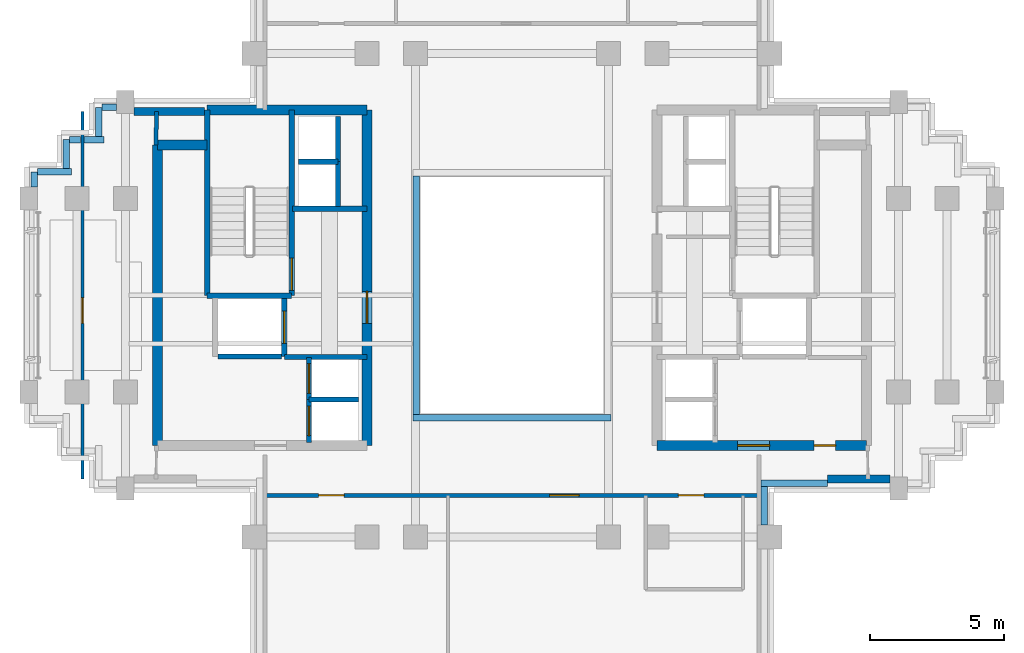
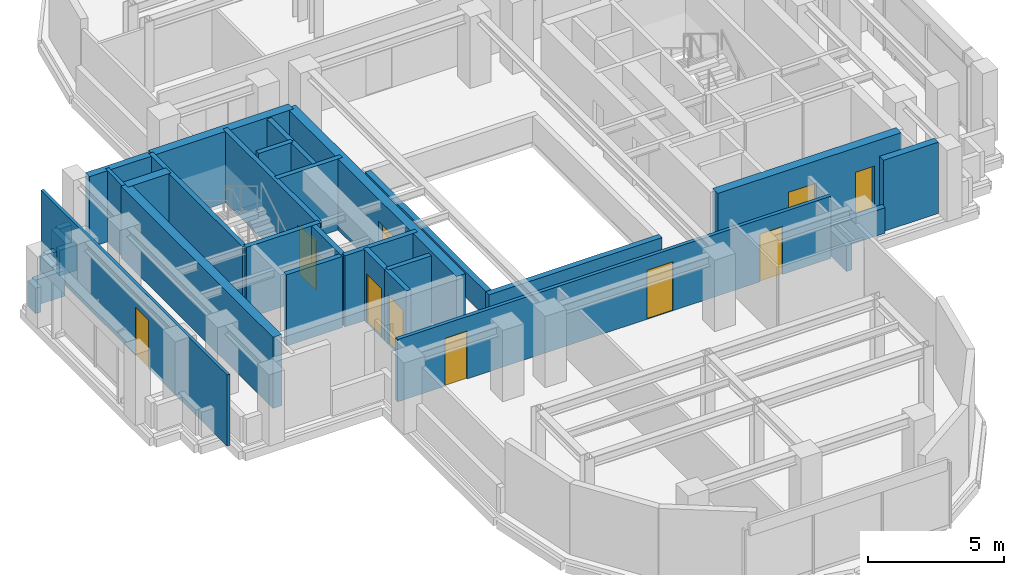
# One storey, part 6 of 11: 34 walls, 11 doors, 11 openings.
"""IFC4 building model written with IfcOpenShell, lengths in metres."""

from ifc_helpers import new_model, si_unit, direction, frame, frame_2d, origin, place, context, subcontext, project, spatial, rectangle, extrude, source, transform, mapped, material, layer, layer_set, type_object, element, fill, save


model = new_model("IFC4")

# Units and contexts
model_context = context("Model", 3, precision=1e-05, world=origin(), true_north=direction((0.0, 1.0)))
body_context = subcontext(model_context, "Body", "Model", "MODEL_VIEW")
ifc_project = project(units=[si_unit("LENGTHUNIT", "METRE"), si_unit("AREAUNIT", "SQUARE_METRE"), si_unit("VOLUMEUNIT", "CUBIC_METRE"), si_unit("PLANEANGLEUNIT", "RADIAN"), si_unit("MASSUNIT", "GRAM", prefix="KILO")], contexts=[model_context])

# Site, building, storey
site_placement = place(None, origin())
site = spatial("IfcSite", under=ifc_project, at=site_placement, CompositionType="ELEMENT")
building_placement = place(site_placement, origin())
building = spatial("IfcBuilding", under=site, at=building_placement, Name="Keilestroom Media Tower", CompositionType="ELEMENT")
storey_placement = place(building_placement, frame((0.0, 0.0, 170.60009765625)))
storey = spatial("IfcBuildingStorey", under=building, at=storey_placement, Name="L46", CompositionType="ELEMENT", Elevation=170.60009765625)

# Walls
ifc_material_1 = material(Name="Precast concrete C40/50", Category="concrete")
ifc_layer_1 = layer(ifc_material_1, 0.300048828125)
ifc_layer_set_1 = layer_set([ifc_layer_1], Name="Precast concrete C40/50")
wall_type_1 = type_object("IfcWallType", Name="Exterior-Masonry-Spandrel-Wall-300", PredefinedType="SOLIDWALL", material=ifc_layer_set_1)
wall_1_placement = place(storey_placement, frame((-14.0830078125, 6.85009765625, 0.0), z_axis=(0.0, 0.0, 1.0), x_axis=(1.0, 0.0, 0.0)))
element("IfcWall", 1, at=wall_1_placement, inside=storey, type_object=wall_type_1, Name="L46 Flank Masonry Wall EWL-L46-NW-1", PredefinedType="SOLIDWALL", context=body_context, shape_type="SweptSolid", body=[
    extrude(rectangle(XDim=2.635009765625, YDim=0.300048828125, at=frame_2d((1.3173828125, 0.0))), origin(), (0.0, 0.0, 1.0), 3.199951171875),
])
wall_2_placement = place(storey_placement, frame((11.75, -6.85009765625, 0.0), z_axis=(0.0, 0.0, 1.0), x_axis=(1.0, 0.0, 0.0)))
element("IfcWall", 2, at=wall_2_placement, inside=storey, type_object=wall_type_1, Name="L46 Flank Masonry Wall EWL-L46-SE-1", PredefinedType="SOLIDWALL", context=body_context, shape_type="SweptSolid", body=[
    extrude(rectangle(XDim=2.3330078125, YDim=0.300048828125, at=frame_2d((1.16650390625, 0.0))), origin(), (0.0, 0.0, 1.0), 3.199951171875),
])

# Wall, opening, door
ifc_material_2 = material(Name="Gypsum Plasterboard & Steel Stud", Category="steel")
ifc_layer_2 = layer(ifc_material_2, 0.1201171875)
ifc_layer_set_2 = layer_set([ifc_layer_2], Name="Gypsum Plasterboard & Steel Stud")
wall_type_2 = type_object("IfcWallType", Name="Interior-Partition-Wall-120", PredefinedType="PARTITIONING", material=ifc_layer_set_2)
wall_3_placement = place(storey_placement, frame((-16.0, -6.85009765625, 0.0), z_axis=(0.0, 0.0, 1.0), x_axis=(0.0, 1.0, 0.0)))
wall_3 = element("IfcWall", 3, at=wall_3_placement, inside=storey, type_object=wall_type_2, Name="L46 Interior Wall WP-L46-WA-V", PredefinedType="PARTITIONING", context=body_context, shape_type="SweptSolid", body=[
    extrude(rectangle(XDim=13.7001953125, YDim=0.1201171875, at=frame_2d((6.85009765625, 0.0))), origin(), (0.0, 0.0, 1.0), 3.199951171875),
])
opening_1_placement = place(wall_3_placement, frame((5.800048828125, 0.0, 0.0)))
opening_1 = element("IfcOpeningElement", 4, at=opening_1_placement, cuts=wall_3, Name="Opening DI-03", PredefinedType="OPENING", context=body_context, shape_type="SweptSolid", body=[
    extrude(rectangle(XDim=0.949951171875, YDim=2.14990234375, at=frame_2d((0.47509765625, 1.074951171875))), frame((0.0, 0.070068359375, 0.0), z_axis=(0.0, -1.0, 0.0), x_axis=(1.0, 0.0, 0.0)), (0.0, 0.0, 1.0), 0.14013671875),
])
ifc_material_3 = material(Name="Lacquered European Oak Leaf", Category="wood")
door_type_1 = type_object("IfcDoorType", Name="Interior-Room-And-Suite-Door-DI-03", OperationType="NOTDEFINED", PredefinedType="DOOR", material=ifc_material_3)
shared_shape_1 = source(origin(), body_context, "Body", "SweptSolid", [
    extrude(rectangle(XDim=0.949951171875, YDim=2.14990234375, at=frame_2d((0.47509765625, 1.074951171875))), frame((0.0, 0.02490234375, 0.0), z_axis=(0.0, -1.0, 0.0), x_axis=(1.0, 0.0, 0.0)), (0.0, 0.0, 1.0), 0.050048828125),
])
door_1_placement = place(opening_1_placement, origin())
door_1 = element("IfcDoor", 5, at=door_1_placement, inside=storey, type_object=door_type_1, Name="L46 Interior Door DI-L46-DWA-W", OperationType="SINGLE_SWING_RIGHT", OverallHeight=2.14990234375, OverallWidth=0.949951171875, PredefinedType="DOOR", context=body_context, shape_type="MappedRepresentation", body=[
    mapped(shared_shape_1, transform((0.0, 0.0, 0.0), x_axis=(1.0, 0.0, 0.0), y_axis=(0.0, 1.0, 0.0), z_axis=(0.0, 0.0, 1.0), scale=1.0)),
])
fill(opening_1, door_1)

# Wall, openings, doors
ifc_layer_3 = layer(ifc_material_2, 0.14990234375)
ifc_layer_set_3 = layer_set([ifc_layer_3], Name="Gypsum Plasterboard & Steel Stud")
wall_type_3 = type_object("IfcWallType", Name="Interior-Partition-Wall-150", PredefinedType="PARTITIONING", material=ifc_layer_set_3)
wall_4_placement = place(storey_placement, frame((-9.199951171875, -7.449951171875, 0.0), z_axis=(0.0, 0.0, 1.0), x_axis=(1.0, 0.0, 0.0)))
wall_4 = element("IfcWall", 6, at=wall_4_placement, inside=storey, type_object=wall_type_3, Name="L46 Interior Wall WP-L46-SL-BASE", PredefinedType="PARTITIONING", context=body_context, shape_type="SweptSolid", body=[
    extrude(rectangle(XDim=18.39990234375, YDim=0.14990234375, at=frame_2d((9.199951171875, 0.0))), origin(), (0.0, 0.0, 1.0), 2.7998046875),
])
opening_2_placement = place(wall_4_placement, frame((15.39990234375, 0.0, 0.0)))
opening_2 = element("IfcOpeningElement", 7, at=opening_2_placement, cuts=wall_4, Name="Opening DI-03", PredefinedType="OPENING", context=body_context, shape_type="SweptSolid", body=[
    extrude(rectangle(XDim=0.949951171875, YDim=2.14990234375, at=frame_2d((0.47509765625, 1.074951171875))), frame((0.0, 0.0849609375, 0.0), z_axis=(0.0, -1.0, 0.0), x_axis=(1.0, 0.0, 0.0)), (0.0, 0.0, 1.0), 0.169921875),
])
opening_3_placement = place(wall_4_placement, frame((2.0, 0.0, 0.0)))
opening_3 = element("IfcOpeningElement", 8, at=opening_3_placement, cuts=wall_4, Name="Opening DI-03", PredefinedType="OPENING", context=body_context, shape_type="SweptSolid", body=[
    extrude(rectangle(XDim=0.949951171875, YDim=2.14990234375, at=frame_2d((0.47509765625, 1.074951171875))), frame((0.0, 0.0849609375, 0.0), z_axis=(0.0, -1.0, 0.0), x_axis=(1.0, 0.0, 0.0)), (0.0, 0.0, 1.0), 0.169921875),
])
opening_4_placement = place(wall_4_placement, frame((10.60009765625, 0.0, 0.0)))
opening_4 = element("IfcOpeningElement", 9, at=opening_4_placement, cuts=wall_4, Name="Opening DI-04", PredefinedType="OPENING", context=body_context, shape_type="SweptSolid", body=[
    extrude(rectangle(XDim=1.10009765625, YDim=2.199951171875, at=frame_2d((0.550048828125, 1.10009765625))), frame((0.0, 0.0849609375, 0.0), z_axis=(0.0, -1.0, 0.0), x_axis=(1.0, 0.0, 0.0)), (0.0, 0.0, 1.0), 0.169921875),
])
door_2_placement = place(opening_2_placement, origin())
door_2 = element("IfcDoor", 10, at=door_2_placement, inside=storey, type_object=door_type_1, Name="L46 Interior Door DI-L46-DSL-WC1", OperationType="SINGLE_SWING_RIGHT", OverallHeight=2.14990234375, OverallWidth=0.949951171875, PredefinedType="DOOR", context=body_context, shape_type="MappedRepresentation", body=[
    mapped(shared_shape_1, transform((0.0, 0.0, 0.0), x_axis=(1.0, 0.0, 0.0), y_axis=(0.0, 1.0, 0.0), z_axis=(0.0, 0.0, 1.0), scale=1.0)),
])
fill(opening_2, door_2)
door_3_placement = place(opening_3_placement, origin())
door_3 = element("IfcDoor", 11, at=door_3_placement, inside=storey, type_object=door_type_1, Name="L46 Interior Door DI-L46-DSL-W", OperationType="SINGLE_SWING_LEFT", OverallHeight=2.14990234375, OverallWidth=0.949951171875, PredefinedType="DOOR", context=body_context, shape_type="MappedRepresentation", body=[
    mapped(shared_shape_1, transform((0.0, 0.0, 0.0), x_axis=(1.0, 0.0, 0.0), y_axis=(0.0, 1.0, 0.0), z_axis=(0.0, 0.0, 1.0), scale=1.0)),
])
fill(opening_3, door_3)
ifc_material_4 = material(Name="Acoustic Glazed Aluminium Leaf", Category="aluminium")
door_type_2 = type_object("IfcDoorType", Name="Interior-Room-And-Suite-Door-DI-04", OperationType="NOTDEFINED", PredefinedType="DOOR", material=ifc_material_4)
shared_shape_2 = source(origin(), body_context, "Body", "SweptSolid", [
    extrude(rectangle(XDim=1.10009765625, YDim=2.199951171875, at=frame_2d((0.550048828125, 1.10009765625))), frame((0.0, 0.02490234375, 0.0), z_axis=(0.0, -1.0, 0.0), x_axis=(1.0, 0.0, 0.0)), (0.0, 0.0, 1.0), 0.050048828125),
])
door_4_placement = place(opening_4_placement, origin())
door_4 = element("IfcDoor", 12, at=door_4_placement, inside=storey, type_object=door_type_2, Name="L46 Interior Door DI-L46-DSL-E", OperationType="SINGLE_SWING_RIGHT", OverallHeight=2.199951171875, OverallWidth=1.10009765625, PredefinedType="DOOR", context=body_context, shape_type="MappedRepresentation", body=[
    mapped(shared_shape_2, transform((0.0, 0.0, 0.0), x_axis=(1.0, 0.0, 0.0), y_axis=(0.0, 1.0, 0.0), z_axis=(0.0, 0.0, 1.0), scale=1.0)),
])
fill(opening_4, door_4)

# Walls
wall_5_placement = place(storey_placement, frame((-13.260009765625, 5.60009765625, 0.0), z_axis=(0.0, 0.0, 1.0), x_axis=(0.016013571389, 0.999871774545, 0.0)))
element("IfcWall", 13, at=wall_5_placement, inside=storey, type_object=wall_type_3, Name="L46 Interior Wall WP-L46-WA-ENTN", PredefinedType="PARTITIONING", context=body_context, shape_type="SweptSolid", body=[
    extrude(rectangle(XDim=1.250244140625, YDim=0.14990234375, at=frame_2d((0.625, 0.0))), origin(), (0.0, 0.0, 1.0), 3.199951171875),
])
ifc_material_5 = material(Name="Concrete C55/67", Category="concrete")
ifc_layer_4 = layer(ifc_material_5, 0.3798828125)
ifc_layer_set_4 = layer_set([ifc_layer_4], Name="Concrete C55/67")
wall_type_4 = type_object("IfcWallType", Name="Reinforced-Concrete-Core-Shear-Wall-380", PredefinedType="SHEAR", material=ifc_layer_set_4)
wall_6_placement = place(storey_placement, frame((-13.199951171875, -5.60009765625, 0.0), z_axis=(0.0, 0.0, 1.0), x_axis=(0.0, 1.0, 0.0)))
element("IfcWall", 14, at=wall_6_placement, inside=storey, type_object=wall_type_4, Name="L46 Core Shear Wall WL-L46-CORE-W-OUT", PredefinedType="SHEAR", context=body_context, shape_type="SweptSolid", body=[
    extrude(rectangle(XDim=11.2001953125, YDim=0.3798828125, at=frame_2d((5.60009765625, 0.0))), origin(), (0.0, 0.0, 1.0), 3.199951171875),
])

# Wall, opening, door
wall_7_placement = place(storey_placement, frame((-5.39990234375, -5.60009765625, 0.0), z_axis=(0.0, 0.0, 1.0), x_axis=(0.0, 1.0, 0.0)))
wall_7 = element("IfcWall", 15, at=wall_7_placement, inside=storey, type_object=wall_type_4, Name="L46 Core Shear Wall WL-L46-CORE-W-IN", PredefinedType="SHEAR", context=body_context, shape_type="SweptSolid", body=[
    extrude(rectangle(XDim=12.5, YDim=0.3798828125, at=frame_2d((6.25, 0.0))), origin(), (0.0, 0.0, 1.0), 3.199951171875),
])
opening_5_placement = place(wall_7_placement, frame((4.550048828125, 0.0, 0.0)))
opening_5 = element("IfcOpeningElement", 16, at=opening_5_placement, cuts=wall_7, Name="Opening DI-02", PredefinedType="OPENING", context=body_context, shape_type="SweptSolid", body=[
    extrude(rectangle(XDim=1.199951171875, YDim=2.199951171875, at=frame_2d((0.60009765625, 1.10009765625))), frame((0.0, 0.199951171875, 0.0), z_axis=(0.0, -1.0, 0.0), x_axis=(1.0, 0.0, 0.0)), (0.0, 0.0, 1.0), 0.39990234375),
])
ifc_material_6 = material(Name="Powder-Coated Steel Fire Leaf", Category="steel")
door_type_3 = type_object("IfcDoorType", Name="Interior-Compartment-Fire-Door-DI-02", OperationType="NOTDEFINED", PredefinedType="DOOR", material=ifc_material_6)
shared_shape_3 = source(origin(), body_context, "Body", "SweptSolid", [
    extrude(rectangle(XDim=1.199951171875, YDim=2.199951171875, at=frame_2d((0.60009765625, 1.10009765625))), frame((0.0, 0.02490234375, 0.0), z_axis=(0.0, -1.0, 0.0), x_axis=(1.0, 0.0, 0.0)), (0.0, 0.0, 1.0), 0.050048828125),
])
door_5_placement = place(opening_5_placement, origin())
door_5 = element("IfcDoor", 17, at=door_5_placement, inside=storey, type_object=door_type_3, Name="L46 W Firefighting Lobby Door", OperationType="SINGLE_SWING_RIGHT", OverallHeight=2.199951171875, OverallWidth=1.199951171875, PredefinedType="DOOR", context=body_context, shape_type="MappedRepresentation", body=[
    mapped(shared_shape_3, transform((0.0, 0.0, 0.0), x_axis=(1.0, 0.0, 0.0), y_axis=(0.0, 1.0, 0.0), z_axis=(0.0, 0.0, 1.0), scale=1.0)),
])
fill(opening_5, door_5)

# Walls
wall_8_placement = place(storey_placement, frame((-11.35595703125, 6.89990234375, 0.0), z_axis=(0.0, 0.0, 1.0), x_axis=(1.0, 0.0, 0.0)))
element("IfcWall", 18, at=wall_8_placement, inside=storey, type_object=wall_type_4, Name="L46 Core Shear Wall WL-L46-CORE-W-N", PredefinedType="SHEAR", context=body_context, shape_type="SweptSolid", body=[
    extrude(rectangle(XDim=5.9560546875, YDim=0.3798828125, at=frame_2d((2.97802734375, 0.0))), origin(), (0.0, 0.0, 1.0), 3.199951171875),
])
wall_9_placement = place(storey_placement, frame((-13.199951171875, 5.60009765625, 0.0), z_axis=(0.0, 0.0, 1.0), x_axis=(1.0, 0.0, 0.0)))
element("IfcWall", 19, at=wall_9_placement, inside=storey, type_object=wall_type_4, Name="L46 Core Shear Wall WL-L46-CNW-N", PredefinedType="SHEAR", context=body_context, shape_type="SweptSolid", body=[
    extrude(rectangle(XDim=1.843994140625, YDim=0.3798828125, at=frame_2d((0.921875, 0.0))), origin(), (0.0, 0.0, 1.0), 3.199951171875),
])

# Wall, openings, doors
wall_10_placement = place(storey_placement, frame((5.39990234375, -5.60009765625, 0.0), z_axis=(0.0, 0.0, 1.0), x_axis=(1.0, 0.0, 0.0)))
wall_10 = element("IfcWall", 20, at=wall_10_placement, inside=storey, type_object=wall_type_4, Name="L46 Core Shear Wall WL-L46-CORE-E-S", PredefinedType="SHEAR", context=body_context, shape_type="SweptSolid", body=[
    extrude(rectangle(XDim=7.800048828125, YDim=0.3798828125, at=frame_2d((3.89990234375, 0.0))), origin(), (0.0, 0.0, 1.0), 3.199951171875),
])
opening_6_placement = place(wall_10_placement, frame((3.0, 0.0, 0.0)))
opening_6 = element("IfcOpeningElement", 21, at=opening_6_placement, cuts=wall_10, Name="Opening DI-02", PredefinedType="OPENING", context=body_context, shape_type="SweptSolid", body=[
    extrude(rectangle(XDim=1.199951171875, YDim=2.199951171875, at=frame_2d((0.60009765625, 1.10009765625))), frame((0.0, 0.199951171875, 0.0), z_axis=(0.0, -1.0, 0.0), x_axis=(1.0, 0.0, 0.0)), (0.0, 0.0, 1.0), 0.39990234375),
])
opening_7_placement = place(wall_10_placement, frame((5.85009765625, 0.0, 0.0)))
opening_7 = element("IfcOpeningElement", 22, at=opening_7_placement, cuts=wall_10, Name="Opening DI-06", PredefinedType="OPENING", context=body_context, shape_type="SweptSolid", body=[
    extrude(rectangle(XDim=0.800048828125, YDim=2.10009765625, at=frame_2d((0.39990234375, 1.050048828125))), frame((0.0, 0.199951171875, 0.0), z_axis=(0.0, -1.0, 0.0), x_axis=(1.0, 0.0, 0.0)), (0.0, 0.0, 1.0), 0.39990234375),
])
door_6_placement = place(opening_6_placement, origin())
door_6 = element("IfcDoor", 23, at=door_6_placement, inside=storey, type_object=door_type_3, Name="L46 E Passenger Lift Lobby Door", OperationType="SINGLE_SWING_RIGHT", OverallHeight=2.199951171875, OverallWidth=1.199951171875, PredefinedType="DOOR", context=body_context, shape_type="MappedRepresentation", body=[
    mapped(shared_shape_3, transform((0.0, 0.0, 0.0), x_axis=(1.0, 0.0, 0.0), y_axis=(0.0, 1.0, 0.0), z_axis=(0.0, 0.0, 1.0), scale=1.0)),
])
fill(opening_6, door_6)
ifc_material_7 = material(Name="Powder-Coated Steel Service Leaf", Category="steel")
door_type_4 = type_object("IfcDoorType", Name="Interior-Riser-Access-Door-DI-06", OperationType="NOTDEFINED", PredefinedType="DOOR", material=ifc_material_7)
shared_shape_4 = source(origin(), body_context, "Body", "SweptSolid", [
    extrude(rectangle(XDim=0.800048828125, YDim=2.10009765625, at=frame_2d((0.39990234375, 1.050048828125))), frame((0.0, 0.02490234375, 0.0), z_axis=(0.0, -1.0, 0.0), x_axis=(1.0, 0.0, 0.0)), (0.0, 0.0, 1.0), 0.050048828125),
])
door_7_placement = place(opening_7_placement, origin())
door_7 = element("IfcDoor", 24, at=door_7_placement, inside=storey, type_object=door_type_4, Name="L46 Reclaimed East Core Room Door", OperationType="SINGLE_SWING_RIGHT", OverallHeight=2.10009765625, OverallWidth=0.800048828125, PredefinedType="DOOR", context=body_context, shape_type="MappedRepresentation", body=[
    mapped(shared_shape_4, transform((0.0, 0.0, 0.0), x_axis=(1.0, 0.0, 0.0), y_axis=(0.0, 1.0, 0.0), z_axis=(0.0, 0.0, 1.0), scale=1.0)),
])
fill(opening_7, door_7)

# Walls
ifc_material_8 = material(Name="Concrete C50/60", Category="concrete")
ifc_layer_5 = layer(ifc_material_8, 0.199951171875)
ifc_layer_set_5 = layer_set([ifc_layer_5], Name="Concrete C50/60")
wall_type_5 = type_object("IfcWallType", Name="Reinforced-Concrete-Shaft-Wall-200", PredefinedType="SOLIDWALL", material=ifc_layer_set_5)
wall_11_placement = place(storey_placement, frame((-8.179931640625, 3.219970703125, 0.0), z_axis=(0.0, 0.0, 1.0), x_axis=(1.0, 0.0, 0.0)))
element("IfcWall", 25, at=wall_11_placement, inside=storey, type_object=wall_type_5, Name="L46 Core Shear Wall WL-L46-CORE-W-FFN", PredefinedType="SOLIDWALL", context=body_context, shape_type="SweptSolid", body=[
    extrude(rectangle(XDim=2.780029296875, YDim=0.199951171875, at=frame_2d((1.39013671875, 0.0))), origin(), (0.0, 0.0, 1.0), 3.199951171875),
])
wall_12_placement = place(storey_placement, frame((-8.47998046875, -2.300048828125, 0.0), z_axis=(0.0, 0.0, 1.0), x_axis=(1.0, 0.0, 0.0)))
element("IfcWall", 26, at=wall_12_placement, inside=storey, type_object=wall_type_5, Name="L46 Core Shear Wall WL-L46-CORE-W-FFS", PredefinedType="SOLIDWALL", context=body_context, shape_type="SweptSolid", body=[
    extrude(rectangle(XDim=3.080078125, YDim=0.199951171875, at=frame_2d((1.5400390625, 0.0))), origin(), (0.0, 0.0, 1.0), 3.199951171875),
])

# Wall, opening, door
wall_13_placement = place(storey_placement, frame((-8.2041015625, -0.01611328125, 0.0), z_axis=(0.0, 0.0, 1.0), x_axis=(0.0, 1.0, 0.0)))
wall_13 = element("IfcWall", 27, at=wall_13_placement, inside=storey, type_object=wall_type_5, Name="L46 Core Shear Wall WL-L46-STW-W-NEAR", PredefinedType="SOLIDWALL", context=body_context, shape_type="SweptSolid", body=[
    extrude(rectangle(XDim=6.916015625, YDim=0.199951171875, at=frame_2d((3.4580078125, 0.0))), origin(), (0.0, 0.0, 1.0), 3.199951171875),
])
opening_8_placement = place(wall_13_placement, frame((0.199951171875, 0.0, 0.0)))
opening_8 = element("IfcOpeningElement", 28, at=opening_8_placement, cuts=wall_13, Name="Opening DI-01S", PredefinedType="OPENING", context=body_context, shape_type="SweptSolid", body=[
    extrude(rectangle(XDim=1.199951171875, YDim=2.199951171875, at=frame_2d((0.60009765625, 1.10009765625))), frame((0.0, 0.10986328125, 0.0), z_axis=(0.0, -1.0, 0.0), x_axis=(1.0, 0.0, 0.0)), (0.0, 0.0, 1.0), 0.219970703125),
])
door_type_5 = type_object("IfcDoorType", Name="Interior-Stair-And-Core-Fire-Door-DI-01", OperationType="NOTDEFINED", PredefinedType="DOOR", material=ifc_material_6)
door_8_placement = place(opening_8_placement, origin())
door_8 = element("IfcDoor", 29, at=door_8_placement, inside=storey, type_object=door_type_5, Name="L46 Escape Stair ST-1 Fire Door", OperationType="SINGLE_SWING_LEFT", OverallHeight=2.199951171875, OverallWidth=1.199951171875, PredefinedType="DOOR", context=body_context, shape_type="MappedRepresentation", body=[
    mapped(shared_shape_3, transform((0.0, 0.0, 0.0), x_axis=(1.0, 0.0, 0.0), y_axis=(0.0, 1.0, 0.0), z_axis=(0.0, 0.0, 1.0), scale=1.0)),
])
fill(opening_8, door_8)

# Walls
wall_14_placement = place(storey_placement, frame((-11.35595703125, -0.01611328125, 0.0), z_axis=(0.0, 0.0, 1.0), x_axis=(0.0, 1.0, 0.0)))
element("IfcWall", 30, at=wall_14_placement, inside=storey, type_object=wall_type_5, Name="L46 Core Shear Wall WL-L46-STW-W-FAR", PredefinedType="SOLIDWALL", context=body_context, shape_type="SweptSolid", body=[
    extrude(rectangle(XDim=6.916015625, YDim=0.199951171875, at=frame_2d((3.4580078125, 0.0))), origin(), (0.0, 0.0, 1.0), 3.199951171875),
])
wall_15_placement = place(storey_placement, frame((-11.35595703125, -0.01611328125, 0.0), z_axis=(0.0, 0.0, 1.0), x_axis=(1.0, 0.0, 0.0)))
element("IfcWall", 31, at=wall_15_placement, inside=storey, type_object=wall_type_5, Name="L46 Core Shear Wall WL-L46-STW-W-S", PredefinedType="SOLIDWALL", context=body_context, shape_type="SweptSolid", body=[
    extrude(rectangle(XDim=3.15185546875, YDim=0.199951171875, at=frame_2d((1.575927734375, 0.0))), origin(), (0.0, 0.0, 1.0), 3.199951171875),
])

# Wall, opening, door
wall_16_placement = place(storey_placement, frame((-8.47998046875, -2.280029296875, 0.0), z_axis=(0.0, 0.0, 1.0), x_axis=(0.0, 1.0, 0.0)))
wall_16 = element("IfcWall", 32, at=wall_16_placement, inside=storey, type_object=wall_type_5, Name="L46 Core Shear Wall WL-L46-LSH-FFL-1-E", PredefinedType="SOLIDWALL", context=body_context, shape_type="SweptSolid", body=[
    extrude(rectangle(XDim=2.179931640625, YDim=0.199951171875, at=frame_2d((1.08984375, 0.0))), origin(), (0.0, 0.0, 1.0), 3.199951171875),
])
opening_9_placement = place(wall_16_placement, frame((0.489990234375, 0.0, 0.0)))
opening_9 = element("IfcOpeningElement", 33, at=opening_9_placement, cuts=wall_16, Name="Opening LD-02", PredefinedType="OPENING", context=body_context, shape_type="SweptSolid", body=[
    extrude(rectangle(XDim=1.199951171875, YDim=2.199951171875, at=frame_2d((0.60009765625, 1.10009765625))), frame((0.0, 0.10986328125, 0.0), z_axis=(0.0, -1.0, 0.0), x_axis=(1.0, 0.0, 0.0)), (0.0, 0.0, 1.0), 0.219970703125),
])
ifc_material_9 = material(Name="Brushed Stainless Steel Sliding Leaf", Category="steel")
door_type_6 = type_object("IfcDoorType", Name="Lift-Landing-Sliding-Door-LD-02", OperationType="SLIDING_TO_RIGHT", PredefinedType="DOOR", material=ifc_material_9)
door_9_placement = place(opening_9_placement, origin())
door_9 = element("IfcDoor", 34, at=door_9_placement, inside=storey, type_object=door_type_6, Name="L46 Lift FFL-1 Landing Sliding Door", OperationType="SLIDING_TO_RIGHT", OverallHeight=2.199951171875, OverallWidth=1.199951171875, PredefinedType="DOOR", context=body_context, shape_type="MappedRepresentation", body=[
    mapped(shared_shape_3, transform((0.0, 0.0, 0.0), x_axis=(1.0, 0.0, 0.0), y_axis=(0.0, 1.0, 0.0), z_axis=(0.0, 0.0, 1.0), scale=1.0)),
])
fill(opening_9, door_9)

# Wall
wall_17_placement = place(storey_placement, frame((-10.946044921875, -2.280029296875, 0.0), z_axis=(0.0, 0.0, 1.0), x_axis=(1.0, 0.0, 0.0)))
element("IfcWall", 35, at=wall_17_placement, inside=storey, type_object=wall_type_5, Name="L46 Core Shear Wall WL-L46-LSH-FFL-1-S", PredefinedType="SOLIDWALL", context=body_context, shape_type="SweptSolid", body=[
    extrude(rectangle(XDim=2.362060546875, YDim=0.199951171875, at=frame_2d((1.18115234375, 0.0))), origin(), (0.0, 0.0, 1.0), 3.199951171875),
])

# Wall, opening, door
wall_18_placement = place(storey_placement, frame((-7.56005859375, -5.47998046875, 0.0), z_axis=(0.0, 0.0, 1.0), x_axis=(0.0, 1.0, 0.0)))
wall_18 = element("IfcWall", 36, at=wall_18_placement, inside=storey, type_object=wall_type_5, Name="L46 Core Shear Wall WL-L46-LSH-PL-M1-W", PredefinedType="SOLIDWALL", context=body_context, shape_type="SweptSolid", body=[
    extrude(rectangle(XDim=1.60009765625, YDim=0.199951171875, at=frame_2d((0.800048828125, 0.0))), origin(), (0.0, 0.0, 1.0), 3.199951171875),
])
opening_10_placement = place(wall_18_placement, frame((0.25, 0.0, 0.0)))
opening_10 = element("IfcOpeningElement", 37, at=opening_10_placement, cuts=wall_18, Name="Opening LD-01", PredefinedType="OPENING", context=body_context, shape_type="SweptSolid", body=[
    extrude(rectangle(XDim=1.10009765625, YDim=2.199951171875, at=frame_2d((0.550048828125, 1.10009765625))), frame((0.0, 0.10986328125, 0.0), z_axis=(0.0, -1.0, 0.0), x_axis=(1.0, 0.0, 0.0)), (0.0, 0.0, 1.0), 0.219970703125),
])
door_type_7 = type_object("IfcDoorType", Name="Lift-Landing-Sliding-Door-LD-01", OperationType="SLIDING_TO_LEFT", PredefinedType="DOOR", material=ifc_material_9)
door_10_placement = place(opening_10_placement, origin())
door_10 = element("IfcDoor", 38, at=door_10_placement, inside=storey, type_object=door_type_7, Name="L46 Lift PL-M1 Landing Sliding Door", OperationType="SLIDING_TO_LEFT", OverallHeight=2.199951171875, OverallWidth=1.10009765625, PredefinedType="DOOR", context=body_context, shape_type="MappedRepresentation", body=[
    mapped(shared_shape_2, transform((0.0, 0.0, 0.0), x_axis=(1.0, 0.0, 0.0), y_axis=(0.0, 1.0, 0.0), z_axis=(0.0, 0.0, 1.0), scale=1.0)),
])
fill(opening_10, door_10)

# Wall
wall_19_placement = place(storey_placement, frame((-7.56005859375, -3.8798828125, 0.0), z_axis=(0.0, 0.0, 1.0), x_axis=(1.0, 0.0, 0.0)))
element("IfcWall", 39, at=wall_19_placement, inside=storey, type_object=wall_type_5, Name="L46 Core Shear Wall WL-L46-LSH-PL-M1-N", PredefinedType="SOLIDWALL", context=body_context, shape_type="SweptSolid", body=[
    extrude(rectangle(XDim=1.840087890625, YDim=0.199951171875, at=frame_2d((0.919921875, 0.0))), origin(), (0.0, 0.0, 1.0), 3.199951171875),
])

# Wall, opening, door
wall_20_placement = place(storey_placement, frame((-7.56005859375, -3.8798828125, 0.0), z_axis=(0.0, 0.0, 1.0), x_axis=(0.0, 1.0, 0.0)))
wall_20 = element("IfcWall", 40, at=wall_20_placement, inside=storey, type_object=wall_type_5, Name="L46 Core Shear Wall WL-L46-LSH-PL-M2-W", PredefinedType="SOLIDWALL", context=body_context, shape_type="SweptSolid", body=[
    extrude(rectangle(XDim=1.559814453125, YDim=0.199951171875, at=frame_2d((0.77978515625, 0.0))), origin(), (0.0, 0.0, 1.0), 3.199951171875),
])
opening_11_placement = place(wall_20_placement, frame((0.22998046875, 0.0, 0.0)))
opening_11 = element("IfcOpeningElement", 41, at=opening_11_placement, cuts=wall_20, Name="Opening LD-01", PredefinedType="OPENING", context=body_context, shape_type="SweptSolid", body=[
    extrude(rectangle(XDim=1.10009765625, YDim=2.199951171875, at=frame_2d((0.550048828125, 1.10009765625))), frame((0.0, 0.10986328125, 0.0), z_axis=(0.0, -1.0, 0.0), x_axis=(1.0, 0.0, 0.0)), (0.0, 0.0, 1.0), 0.219970703125),
])
door_11_placement = place(opening_11_placement, origin())
door_11 = element("IfcDoor", 42, at=door_11_placement, inside=storey, type_object=door_type_7, Name="L46 Lift PL-M2 Landing Sliding Door", OperationType="SLIDING_TO_LEFT", OverallHeight=2.199951171875, OverallWidth=1.10009765625, PredefinedType="DOOR", context=body_context, shape_type="MappedRepresentation", body=[
    mapped(shared_shape_2, transform((0.0, 0.0, 0.0), x_axis=(1.0, 0.0, 0.0), y_axis=(0.0, 1.0, 0.0), z_axis=(0.0, 0.0, 1.0), scale=1.0)),
])
fill(opening_11, door_11)

# Walls
wall_21_placement = place(storey_placement, frame((-6.47998046875, 3.300048828125, 0.0), z_axis=(0.0, 0.0, 1.0), x_axis=(0.0, 1.0, 0.0)))
element("IfcWall", 43, at=wall_21_placement, inside=storey, type_object=wall_type_5, Name="L46 Core Shear Wall WL-L46-LSH-PL-H1-E", PredefinedType="SOLIDWALL", context=body_context, shape_type="SweptSolid", body=[
    extrude(rectangle(XDim=1.679931640625, YDim=0.199951171875, at=frame_2d((0.83984375, 0.0))), origin(), (0.0, 0.0, 1.0), 3.199951171875),
])
wall_22_placement = place(storey_placement, frame((-7.949951171875, 4.97998046875, 0.0), z_axis=(0.0, 0.0, 1.0), x_axis=(1.0, 0.0, 0.0)))
element("IfcWall", 44, at=wall_22_placement, inside=storey, type_object=wall_type_5, Name="L46 Core Shear Wall WL-L46-LSH-PL-H1-N", PredefinedType="SOLIDWALL", context=body_context, shape_type="SweptSolid", body=[
    extrude(rectangle(XDim=1.469970703125, YDim=0.199951171875, at=frame_2d((0.73486328125, 0.0))), origin(), (0.0, 0.0, 1.0), 3.199951171875),
])
wall_23_placement = place(storey_placement, frame((-6.47998046875, 4.97998046875, 0.0), z_axis=(0.0, 0.0, 1.0), x_axis=(0.0, 1.0, 0.0)))
element("IfcWall", 45, at=wall_23_placement, inside=storey, type_object=wall_type_5, Name="L46 Core Shear Wall WL-L46-LSH-PL-H2-E", PredefinedType="SOLIDWALL", context=body_context, shape_type="SweptSolid", body=[
    extrude(rectangle(XDim=1.669921875, YDim=0.199951171875, at=frame_2d((0.8349609375, 0.0))), origin(), (0.0, 0.0, 1.0), 3.199951171875),
])
ifc_layer_6 = layer(ifc_material_1, 0.239990234375)
ifc_layer_set_6 = layer_set([ifc_layer_6], Name="Precast concrete C40/50")
wall_type_6 = type_object("IfcWallType", Name="Roof-And-Terrace-Parapet-Wall-240", PredefinedType="PARAPET", material=ifc_layer_set_6)
wall_24_placement = place(storey_placement, frame((11.7470703125, -7.0, 0.0), z_axis=(0.0, 0.0, 1.0), x_axis=(-1.0, 0.0, 0.0)))
element("IfcWall", 46, at=wall_24_placement, inside=storey, type_object=wall_type_6, Name="L46 Perimeter Edge Parapet Wall 06", PredefinedType="PARAPET", context=body_context, shape_type="SweptSolid", body=[
    extrude(rectangle(XDim=2.468994140625, YDim=0.239990234375, at=frame_2d((1.234375, 0.0))), origin(), (0.0, 0.0, 1.0), 1.14990234375),
])
wall_25_placement = place(storey_placement, frame((9.39990234375, -7.123046875, 0.0), z_axis=(0.0, 0.0, 1.0), x_axis=(0.0, -1.0, 0.0)))
element("IfcWall", 47, at=wall_25_placement, inside=storey, type_object=wall_type_6, Name="L46 Perimeter Edge Parapet Wall 07", PredefinedType="PARAPET", context=body_context, shape_type="SweptSolid", body=[
    extrude(rectangle(XDim=1.424072265625, YDim=0.239990234375, at=frame_2d((0.7119140625, 0.0))), origin(), (0.0, 0.0, 1.0), 1.14990234375),
])
wall_26_placement = place(storey_placement, frame((-17.800048828125, 4.028076171875, 0.0), z_axis=(0.0, 0.0, 1.0), x_axis=(0.0, 1.0, 0.0)))
element("IfcWall", 48, at=wall_26_placement, inside=storey, type_object=wall_type_6, Name="L46 Perimeter Edge Parapet Wall 20", PredefinedType="PARAPET", context=body_context, shape_type="SweptSolid", body=[
    extrude(rectangle(XDim=0.572021484375, YDim=0.239990234375, at=frame_2d((0.2861328125, 0.0))), origin(), (0.0, 0.0, 1.0), 1.14990234375),
])
wall_27_placement = place(storey_placement, frame((-17.677001953125, 4.60009765625, 0.0), z_axis=(0.0, 0.0, 1.0), x_axis=(1.0, 0.0, 0.0)))
element("IfcWall", 49, at=wall_27_placement, inside=storey, type_object=wall_type_6, Name="L46 Perimeter Edge Parapet Wall 21", PredefinedType="PARAPET", context=body_context, shape_type="SweptSolid", body=[
    extrude(rectangle(XDim=1.277099609375, YDim=0.239990234375, at=frame_2d((0.638671875, 0.0))), origin(), (0.0, 0.0, 1.0), 1.14990234375),
])
wall_28_placement = place(storey_placement, frame((-16.60009765625, 4.722900390625, 0.0), z_axis=(0.0, 0.0, 1.0), x_axis=(0.0, 1.0, 0.0)))
element("IfcWall", 50, at=wall_28_placement, inside=storey, type_object=wall_type_6, Name="L46 Perimeter Edge Parapet Wall 22", PredefinedType="PARAPET", context=body_context, shape_type="SweptSolid", body=[
    extrude(rectangle(XDim=1.0771484375, YDim=0.239990234375, at=frame_2d((0.53857421875, 0.0))), origin(), (0.0, 0.0, 1.0), 1.14990234375),
])
wall_29_placement = place(storey_placement, frame((-16.47705078125, 5.800048828125, 0.0), z_axis=(0.0, 0.0, 1.0), x_axis=(1.0, 0.0, 0.0)))
element("IfcWall", 51, at=wall_29_placement, inside=storey, type_object=wall_type_6, Name="L46 Perimeter Edge Parapet Wall 23", PredefinedType="PARAPET", context=body_context, shape_type="SweptSolid", body=[
    extrude(rectangle(XDim=0.4140625, YDim=0.239990234375, at=frame_2d((0.20703125, 0.0))), origin(), (0.0, 0.0, 1.0), 1.14990234375),
])
wall_30_placement = place(storey_placement, frame((-15.93701171875, 5.800048828125, 0.0), z_axis=(0.0, 0.0, 1.0), x_axis=(1.0, 0.0, 0.0)))
element("IfcWall", 52, at=wall_30_placement, inside=storey, type_object=wall_type_6, Name="L46 Perimeter Edge Parapet Wall 24", PredefinedType="PARAPET", context=body_context, shape_type="SweptSolid", body=[
    extrude(rectangle(XDim=0.737060546875, YDim=0.239990234375, at=frame_2d((0.36865234375, 0.0))), origin(), (0.0, 0.0, 1.0), 1.14990234375),
])
wall_31_placement = place(storey_placement, frame((-15.39990234375, 5.923095703125, 0.0), z_axis=(0.0, 0.0, 1.0), x_axis=(0.0, 1.0, 0.0)))
element("IfcWall", 53, at=wall_31_placement, inside=storey, type_object=wall_type_6, Name="L46 Perimeter Edge Parapet Wall 25", PredefinedType="PARAPET", context=body_context, shape_type="SweptSolid", body=[
    extrude(rectangle(XDim=1.076904296875, YDim=0.239990234375, at=frame_2d((0.53857421875, 0.0))), origin(), (0.0, 0.0, 1.0), 1.14990234375),
])
wall_32_placement = place(storey_placement, frame((-15.277099609375, 7.0, 0.0), z_axis=(0.0, 0.0, 1.0), x_axis=(1.0, 0.0, 0.0)))
element("IfcWall", 54, at=wall_32_placement, inside=storey, type_object=wall_type_6, Name="L46 Perimeter Edge Parapet Wall 26", PredefinedType="PARAPET", context=body_context, shape_type="SweptSolid", body=[
    extrude(rectangle(XDim=0.549072265625, YDim=0.239990234375, at=frame_2d((0.2744140625, 0.0))), origin(), (0.0, 0.0, 1.0), 1.14990234375),
])
wall_33_placement = place(storey_placement, frame((-3.679931640625, -4.56005859375, 0.0), z_axis=(0.0, 0.0, 1.0), x_axis=(1.0, 0.0, 0.0)))
element("IfcWall", 55, at=wall_33_placement, inside=storey, type_object=wall_type_6, Name="L46 Central Atrium Guard Parapet S", PredefinedType="PARAPET", context=body_context, shape_type="SweptSolid", body=[
    extrude(rectangle(XDim=7.35986328125, YDim=0.239990234375, at=frame_2d((3.679931640625, 0.0))), origin(), (0.0, 0.0, 1.0), 1.14990234375),
])
wall_34_placement = place(storey_placement, frame((-3.56005859375, -4.43505859375, 0.0), z_axis=(0.0, 0.0, 1.0), x_axis=(0.0, 1.0, 0.0)))
element("IfcWall", 56, at=wall_34_placement, inside=storey, type_object=wall_type_6, Name="L46 Central Atrium Guard Parapet W", PredefinedType="PARAPET", context=body_context, shape_type="SweptSolid", body=[
    extrude(rectangle(XDim=8.8701171875, YDim=0.239990234375, at=frame_2d((4.43505859375, 0.0))), origin(), (0.0, 0.0, 1.0), 1.14990234375),
])

save(model, "model.ifc")
